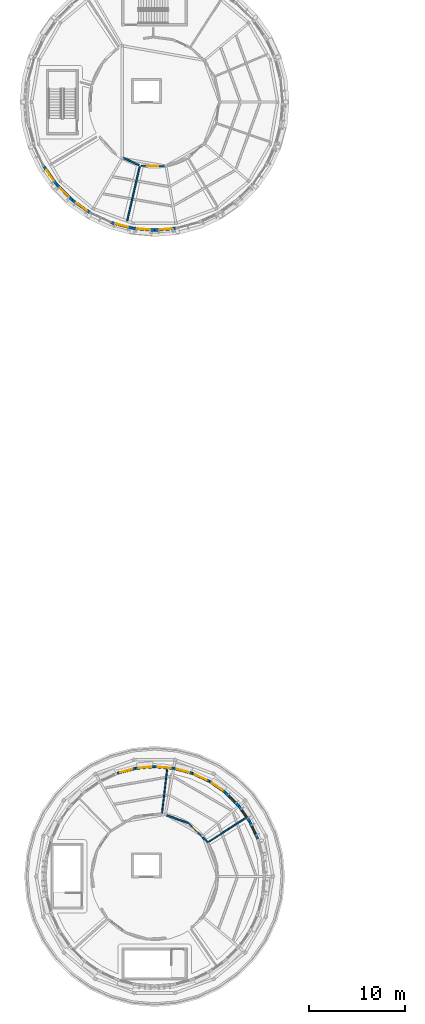
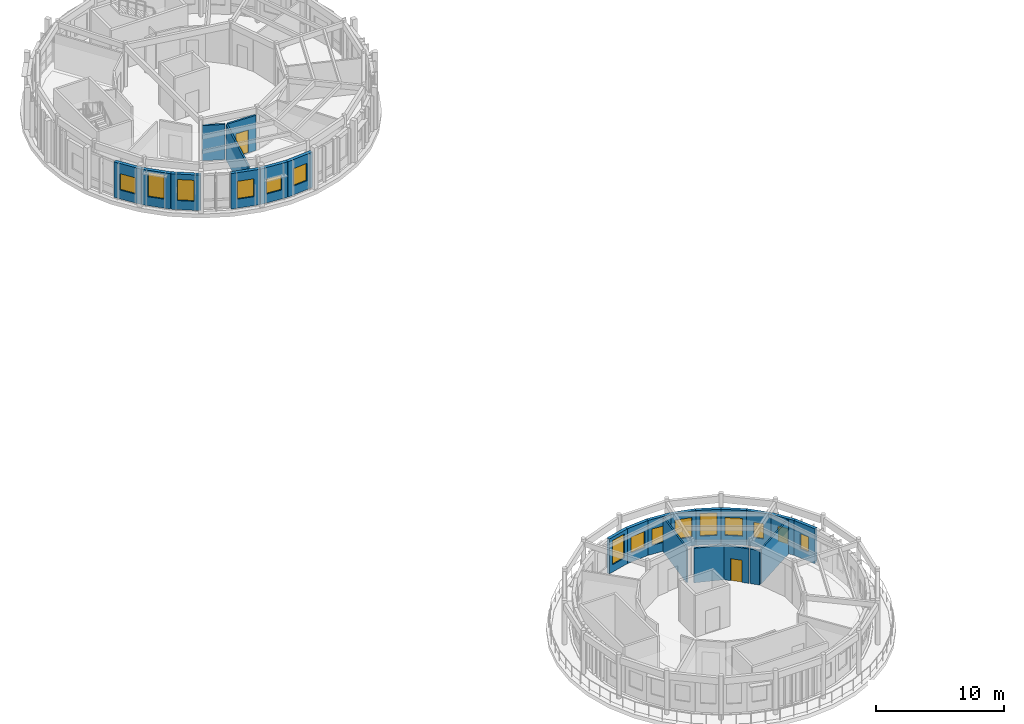
# One storey, part 18 of 30: 23 walls, 15 windows, 2 doors, 17 openings.
"""IFC4 building model written with IfcOpenShell, lengths in metres."""

from ifc_helpers import new_model, si_unit, direction, frame, frame_2d, origin, place, context, subcontext, project, spatial, rectangle, extrude, material, layer, layer_set, type_object, element, fill, save


model = new_model("IFC4")

# Units and contexts
model_context = context("Model", 3, precision=1e-05, world=origin(), true_north=direction((0.0, 1.0)))
body_context = subcontext(model_context, "Body", "Model", "MODEL_VIEW")
ifc_project = project(units=[si_unit("LENGTHUNIT", "METRE"), si_unit("AREAUNIT", "SQUARE_METRE"), si_unit("VOLUMEUNIT", "CUBIC_METRE"), si_unit("PLANEANGLEUNIT", "RADIAN"), si_unit("MASSUNIT", "GRAM", prefix="KILO")], contexts=[model_context])

# Site, building, storey
site_placement = place(None, origin())
site = spatial("IfcSite", under=ifc_project, at=site_placement, CompositionType="ELEMENT")
building_placement = place(site_placement, origin())
building = spatial("IfcBuilding", under=site, at=building_placement, Name="Aldenvaro Health Centre", CompositionType="ELEMENT")
storey_placement = place(building_placement, frame((0.0, 0.0, 17.14990234375)))
storey = spatial("IfcBuildingStorey", under=building, at=storey_placement, Name="L04", CompositionType="ELEMENT", Elevation=17.14990234375)

# Walls
ifc_material_1 = material(Name="Gypsum Stud Acoustic Assembly")
ifc_layer_1 = layer(ifc_material_1, 0.14501953125, Name="Gypsum Stud Acoustic Assembly")
ifc_layer_set_1 = layer_set([ifc_layer_1], Name="Gypsum Stud Acoustic Assembly")
wall_type_1 = type_object("IfcWallType", Name="WL-CLN-145", PredefinedType="PARTITIONING", material=ifc_layer_set_1)
wall_1_placement = place(storey_placement, frame((16.951904296875, 92.79296875, 0.0), z_axis=(0.0, 0.0, 1.0), x_axis=(-0.225041614944, -0.97434915279, 0.0)))
element("IfcWall", 1, at=wall_1_placement, inside=storey, type_object=wall_type_1, Name="D4 L04 clinical partition 4.1", PredefinedType="PARTITIONING", context=body_context, shape_type="SweptSolid", body=[
    extrude(rectangle(XDim=5.87451171875, YDim=0.14501953125, at=frame_2d((2.937255859375, 0.0))), origin(), (0.0, 0.0, 1.0), 3.343994140625),
])
ifc_layer_2 = layer(ifc_material_1, 0.1650390625, Name="Gypsum Stud Acoustic Assembly")
ifc_layer_set_2 = layer_set([ifc_layer_2], Name="Gypsum Stud Acoustic Assembly")
wall_type_2 = type_object("IfcWallType", Name="WL-COR-165", PredefinedType="PARTITIONING", material=ifc_layer_set_2)
wall_2_placement = place(storey_placement, frame((15.22802734375, 93.662109375, 0.0), z_axis=(0.0, 0.0, 1.0), x_axis=(0.906828861557, -0.421499010495, 0.0)))
element("IfcWall", 2, at=wall_2_placement, inside=storey, type_object=wall_type_2, Name="D4 L04 corridor wall 03.2", PredefinedType="PARTITIONING", context=body_context, shape_type="SweptSolid", body=[
    extrude(rectangle(XDim=1.81298828125, YDim=0.1650390625, at=frame_2d((0.906494140625, 0.0))), origin(), (0.0, 0.0, 1.0), 3.343994140625),
])

# Wall, opening, door
wall_3_placement = place(storey_placement, frame((17.069091796875, 92.85205078125, 0.0), z_axis=(0.0, 0.0, 1.0), x_axis=(0.999621757445, -0.027501673437, 0.0)))
wall_3 = element("IfcWall", 3, at=wall_3_placement, inside=storey, type_object=wall_type_2, Name="D4 L04 corridor wall 04.1", PredefinedType="PARTITIONING", context=body_context, shape_type="SweptSolid", body=[
    extrude(rectangle(XDim=2.476806640625, YDim=0.1650390625, at=frame_2d((1.23828125, 0.0))), origin(), (0.0, 0.0, 1.0), 3.343994140625),
])
opening_1_placement = place(wall_3_placement, frame((0.678955078125, 0.0, 0.0)))
opening_1 = element("IfcOpeningElement", 4, at=opening_1_placement, cuts=wall_3, Name="Opening D-06", PredefinedType="OPENING", context=body_context, shape_type="SweptSolid", body=[
    extrude(rectangle(XDim=1.1201171875, YDim=2.159912109375, at=frame_2d((0.56005859375, 1.080078125))), frame((0.0, 0.092529296875, 0.0), z_axis=(0.0, -1.0, 0.0), x_axis=(1.0, 0.0, 0.0)), (0.0, 0.0, 1.0), 0.18505859375),
])
ifc_material_2 = material(Name="Bariatric Consulting Timber Door", Category="wood")
door_type_1 = type_object("IfcDoorType", Name="DR-CLN-06", OperationType="NOTDEFINED", PredefinedType="DOOR", material=ifc_material_2)
door_1_placement = place(opening_1_placement, origin())
door_1 = element("IfcDoor", 5, at=door_1_placement, inside=storey, type_object=door_type_1, Name="Dermatology Minor Procedure Room Door", OperationType="SINGLE_SWING_RIGHT", OverallHeight=2.159912109375, OverallWidth=1.1201171875, PredefinedType="DOOR", context=body_context, shape_type="SweptSolid", body=[
    extrude(rectangle(XDim=1.1201171875, YDim=2.159912109375, at=frame_2d((0.56005859375, 1.080078125))), frame((0.0, 0.02490234375, 0.0), z_axis=(0.0, -1.0, 0.0), x_axis=(1.0, 0.0, 0.0)), (0.0, 0.0, 1.0), 0.050048828125),
])
fill(opening_1, door_1)

# Wall
wall_4_placement = place(storey_placement, frame((24.051025390625, 22.070068359375, 0.0), z_axis=(0.0, 0.0, 1.0), x_axis=(-0.711623901059, 0.702560619051, 0.0)))
element("IfcWall", 6, at=wall_4_placement, inside=storey, type_object=wall_type_2, Name="D5 L04 corridor wall 04.1", PredefinedType="PARTITIONING", context=body_context, shape_type="SweptSolid", body=[
    extrude(rectangle(XDim=0.78125, YDim=0.1650390625, at=frame_2d((0.390625, 0.0))), origin(), (0.0, 0.0, 1.0), 3.279052734375),
])

# Wall, opening, door
wall_5_placement = place(storey_placement, frame((23.43408203125, 22.679931640625, 0.0), z_axis=(0.0, 0.0, 1.0), x_axis=(-0.712049294093, 0.70212947722, 0.0)))
wall_5 = element("IfcWall", 7, at=wall_5_placement, inside=storey, type_object=wall_type_2, Name="D5 L04 corridor wall 04.2", PredefinedType="PARTITIONING", context=body_context, shape_type="SweptSolid", body=[
    extrude(rectangle(XDim=2.01806640625, YDim=0.1650390625, at=frame_2d((1.009033203125, 0.0))), origin(), (0.0, 0.0, 1.0), 3.279052734375),
])
opening_2_placement = place(wall_5_placement, frame((0.55908203125, 0.0, 0.0)))
opening_2 = element("IfcOpeningElement", 8, at=opening_2_placement, cuts=wall_5, Name="Opening WD-01", PredefinedType="OPENING", context=body_context, shape_type="SweptSolid", body=[
    extrude(rectangle(XDim=0.89990234375, YDim=2.10009765625, at=frame_2d((0.449951171875, 1.050048828125))), frame((0.0, 0.092529296875, 0.0), z_axis=(0.0, -1.0, 0.0), x_axis=(1.0, 0.0, 0.0)), (0.0, 0.0, 1.0), 0.18505859375),
])
ifc_material_3 = material(Name="Moisture-Resistant Laminate Door")
door_type_2 = type_object("IfcDoorType", Name="DR-WC-01", OperationType="NOTDEFINED", PredefinedType="DOOR", material=ifc_material_3)
door_2_placement = place(opening_2_placement, origin())
door_2 = element("IfcDoor", 9, at=door_2_placement, inside=storey, type_object=door_type_2, Name="Male Staff WC Door", OperationType="SINGLE_SWING_RIGHT", OverallHeight=2.10009765625, OverallWidth=0.89990234375, PredefinedType="DOOR", context=body_context, shape_type="SweptSolid", body=[
    extrude(rectangle(XDim=0.89990234375, YDim=2.10009765625, at=frame_2d((0.449951171875, 1.050048828125))), frame((0.0, 0.02490234375, 0.0), z_axis=(0.0, -1.0, 0.0), x_axis=(1.0, 0.0, 0.0)), (0.0, 0.0, 1.0), 0.050048828125),
])
fill(opening_2, door_2)

# Wall
wall_6_placement = place(storey_placement, frame((21.9970703125, 24.096923828125, 0.0), z_axis=(0.0, 0.0, 1.0), x_axis=(-0.943378428423, 0.331718466151, 0.0)))
element("IfcWall", 10, at=wall_6_placement, inside=storey, type_object=wall_type_2, Name="D5 L04 corridor wall 04.3", PredefinedType="PARTITIONING", context=body_context, shape_type="SweptSolid", body=[
    extrude(rectangle(XDim=2.400146484375, YDim=0.1650390625, at=frame_2d((1.2001953125, 0.0))), origin(), (0.0, 0.0, 1.0), 3.279052734375),
])

# Wall, opening, window
ifc_material_4 = material(Name="Cross-laminated timber CLT E1", Category="wood")
ifc_layer_3 = layer(ifc_material_4, 0.27001953125, Name="Cross-laminated timber CLT E1", Category="wood")
ifc_layer_set_3 = layer_set([ifc_layer_3], Name="Cross-laminated timber CLT E1")
wall_type_3 = type_object("IfcWallType", Name="WL-EXT-270", PredefinedType="ELEMENTEDWALL", material=ifc_layer_set_3)
wall_7_placement = place(storey_placement, frame((14.573974609375, 29.2880859375, 0.0), z_axis=(0.0, 0.0, 1.0), x_axis=(0.965944784715, 0.258748280927, 0.0)))
wall_7 = element("IfcWall", 11, at=wall_7_placement, inside=storey, type_object=wall_type_3, Name="D5 L04 exterior wall 25", PredefinedType="ELEMENTEDWALL", context=body_context, shape_type="SweptSolid", body=[
    extrude(rectangle(XDim=2.001220703125, YDim=0.27001953125, at=frame_2d((1.00048828125, 0.0))), origin(), (0.0, 0.0, 1.0), 3.314208984375),
])
opening_3_placement = place(wall_7_placement, frame((0.35107421875, 0.0, 0.699951171875)))
opening_3 = element("IfcOpeningElement", 12, at=opening_3_placement, cuts=wall_7, Name="Opening W-49", PredefinedType="OPENING", context=body_context, shape_type="SweptSolid", body=[
    extrude(rectangle(XDim=1.300048828125, YDim=2.300048828125, at=frame_2d((0.64990234375, 1.14990234375))), frame((0.0, 0.14501953125, 0.0), z_axis=(0.0, -1.0, 0.0), x_axis=(1.0, 0.0, 0.0)), (0.0, 0.0, 1.0), 0.2900390625),
])
ifc_material_5 = material(Name="Thermally Broken Aluminium Low-E Glass", Category="aluminium")
window_type_1 = type_object("IfcWindowType", Name="WN-EXT-49", PartitioningType="SINGLE_PANEL", PredefinedType="WINDOW", material=ifc_material_5)
window_1_placement = place(opening_3_placement, origin())
window_1 = element("IfcWindow", 13, at=window_1_placement, inside=storey, type_object=window_type_1, Name="D5 L04 clinical window 25", OverallHeight=2.300048828125, OverallWidth=1.300048828125, PartitioningType="SINGLE_PANEL", PredefinedType="WINDOW", context=body_context, shape_type="SweptSolid", body=[
    extrude(rectangle(XDim=1.300048828125, YDim=2.300048828125, at=frame_2d((0.64990234375, 1.14990234375))), frame((0.0, 0.030029296875, 0.0), z_axis=(0.0, -1.0, 0.0), x_axis=(1.0, 0.0, 0.0)), (0.0, 0.0, 1.0), 0.06005859375),
])
fill(opening_3, window_1)

wall_8_placement = place(storey_placement, frame((16.507080078125, 29.805908203125, 0.0), z_axis=(0.0, 0.0, 1.0), x_axis=(0.996207084861, 0.087014045266, 0.0)))
wall_8 = element("IfcWall", 14, at=wall_8_placement, inside=storey, type_object=wall_type_3, Name="D5 L04 exterior wall 26", PredefinedType="ELEMENTEDWALL", context=body_context, shape_type="SweptSolid", body=[
    extrude(rectangle(XDim=2.00048828125, YDim=0.27001953125, at=frame_2d((1.000244140625, 0.0))), origin(), (0.0, 0.0, 1.0), 3.314208984375),
])
opening_4_placement = place(wall_8_placement, frame((0.340087890625, 0.0, 0.85009765625)))
opening_4 = element("IfcOpeningElement", 15, at=opening_4_placement, cuts=wall_8, Name="Opening W-50", PredefinedType="OPENING", context=body_context, shape_type="SweptSolid", body=[
    extrude(rectangle(XDim=1.320068359375, YDim=1.550048828125, at=frame_2d((0.66015625, 0.77490234375))), frame((0.0, 0.14501953125, 0.0), z_axis=(0.0, -1.0, 0.0), x_axis=(1.0, 0.0, 0.0)), (0.0, 0.0, 1.0), 0.2900390625),
])
window_type_2 = type_object("IfcWindowType", Name="WN-EXT-50", PartitioningType="SINGLE_PANEL", PredefinedType="WINDOW", material=ifc_material_5)
window_2_placement = place(opening_4_placement, origin())
window_2 = element("IfcWindow", 16, at=window_2_placement, inside=storey, type_object=window_type_2, Name="D5 L04 clinical window 26", OverallHeight=1.550048828125, OverallWidth=1.320068359375, PartitioningType="SINGLE_PANEL", PredefinedType="WINDOW", context=body_context, shape_type="SweptSolid", body=[
    extrude(rectangle(XDim=1.320068359375, YDim=1.550048828125, at=frame_2d((0.66015625, 0.77490234375))), frame((0.0, 0.030029296875, 0.0), z_axis=(0.0, -1.0, 0.0), x_axis=(1.0, 0.0, 0.0)), (0.0, 0.0, 1.0), 0.06005859375),
])
fill(opening_4, window_2)

wall_9_placement = place(storey_placement, frame((18.5, 29.97998046875, 0.0), z_axis=(0.0, 0.0, 1.0), x_axis=(0.996207084861, -0.087014045266, 0.0)))
wall_9 = element("IfcWall", 17, at=wall_9_placement, inside=storey, type_object=wall_type_3, Name="D5 L04 exterior wall 27", PredefinedType="ELEMENTEDWALL", context=body_context, shape_type="SweptSolid", body=[
    extrude(rectangle(XDim=2.00048828125, YDim=0.27001953125, at=frame_2d((1.000244140625, 0.0))), origin(), (0.0, 0.0, 1.0), 3.314208984375),
])
opening_5_placement = place(wall_9_placement, frame((0.324951171875, 0.0, 0.85009765625)))
opening_5 = element("IfcOpeningElement", 18, at=opening_5_placement, cuts=wall_9, Name="Opening W-51", PredefinedType="OPENING", context=body_context, shape_type="SweptSolid", body=[
    extrude(rectangle(XDim=1.35009765625, YDim=1.550048828125, at=frame_2d((0.675048828125, 0.77490234375))), frame((0.0, 0.14501953125, 0.0), z_axis=(0.0, -1.0, 0.0), x_axis=(1.0, 0.0, 0.0)), (0.0, 0.0, 1.0), 0.2900390625),
])
window_type_3 = type_object("IfcWindowType", Name="WN-EXT-51", PartitioningType="SINGLE_PANEL", PredefinedType="WINDOW", material=ifc_material_5)
window_3_placement = place(opening_5_placement, origin())
window_3 = element("IfcWindow", 19, at=window_3_placement, inside=storey, type_object=window_type_3, Name="D5 L04 clinical window 27", OverallHeight=1.550048828125, OverallWidth=1.35009765625, PartitioningType="SINGLE_PANEL", PredefinedType="WINDOW", context=body_context, shape_type="SweptSolid", body=[
    extrude(rectangle(XDim=1.35009765625, YDim=1.550048828125, at=frame_2d((0.675048828125, 0.77490234375))), frame((0.0, 0.030029296875, 0.0), z_axis=(0.0, -1.0, 0.0), x_axis=(1.0, 0.0, 0.0)), (0.0, 0.0, 1.0), 0.06005859375),
])
fill(opening_5, window_3)

wall_10_placement = place(storey_placement, frame((20.492919921875, 29.805908203125, 0.0), z_axis=(0.0, 0.0, 1.0), x_axis=(0.965944784715, -0.258748280927, 0.0)))
wall_10 = element("IfcWall", 20, at=wall_10_placement, inside=storey, type_object=wall_type_3, Name="D5 L04 exterior wall 28", PredefinedType="ELEMENTEDWALL", context=body_context, shape_type="SweptSolid", body=[
    extrude(rectangle(XDim=2.001220703125, YDim=0.27001953125, at=frame_2d((1.00048828125, 0.0))), origin(), (0.0, 0.0, 1.0), 3.314208984375),
])
opening_6_placement = place(wall_10_placement, frame((0.325927734375, 0.0, 0.85009765625)))
opening_6 = element("IfcOpeningElement", 21, at=opening_6_placement, cuts=wall_10, Name="Opening W-52", PredefinedType="OPENING", context=body_context, shape_type="SweptSolid", body=[
    extrude(rectangle(XDim=1.35009765625, YDim=1.85009765625, at=frame_2d((0.675048828125, 0.925048828125))), frame((0.0, 0.14501953125, 0.0), z_axis=(0.0, -1.0, 0.0), x_axis=(1.0, 0.0, 0.0)), (0.0, 0.0, 1.0), 0.2900390625),
])
window_type_4 = type_object("IfcWindowType", Name="WN-EXT-52", PartitioningType="SINGLE_PANEL", PredefinedType="WINDOW", material=ifc_material_5)
window_4_placement = place(opening_6_placement, origin())
window_4 = element("IfcWindow", 22, at=window_4_placement, inside=storey, type_object=window_type_4, Name="D5 L04 clinical window 28", OverallHeight=1.85009765625, OverallWidth=1.35009765625, PartitioningType="SINGLE_PANEL", PredefinedType="WINDOW", context=body_context, shape_type="SweptSolid", body=[
    extrude(rectangle(XDim=1.35009765625, YDim=1.85009765625, at=frame_2d((0.675048828125, 0.925048828125))), frame((0.0, 0.030029296875, 0.0), z_axis=(0.0, -1.0, 0.0), x_axis=(1.0, 0.0, 0.0)), (0.0, 0.0, 1.0), 0.06005859375),
])
fill(opening_6, window_4)

wall_11_placement = place(storey_placement, frame((22.426025390625, 29.2880859375, 0.0), z_axis=(0.0, 0.0, 1.0), x_axis=(0.906245451167, -0.422751915713, 0.0)))
wall_11 = element("IfcWall", 23, at=wall_11_placement, inside=storey, type_object=wall_type_3, Name="D5 L04 exterior wall 29", PredefinedType="ELEMENTEDWALL", context=body_context, shape_type="SweptSolid", body=[
    extrude(rectangle(XDim=2.001708984375, YDim=0.27001953125, at=frame_2d((1.0009765625, 0.0))), origin(), (0.0, 0.0, 1.0), 3.314208984375),
])
opening_7_placement = place(wall_11_placement, frame((0.325927734375, 0.0, 0.85009765625)))
opening_7 = element("IfcOpeningElement", 24, at=opening_7_placement, cuts=wall_11, Name="Opening W-53", PredefinedType="OPENING", context=body_context, shape_type="SweptSolid", body=[
    extrude(rectangle(XDim=1.35009765625, YDim=2.14990234375, at=frame_2d((0.675048828125, 1.074951171875))), frame((0.0, 0.14501953125, 0.0), z_axis=(0.0, -1.0, 0.0), x_axis=(1.0, 0.0, 0.0)), (0.0, 0.0, 1.0), 0.2900390625),
])
window_type_5 = type_object("IfcWindowType", Name="WN-EXT-53", PartitioningType="SINGLE_PANEL", PredefinedType="WINDOW", material=ifc_material_5)
window_5_placement = place(opening_7_placement, origin())
window_5 = element("IfcWindow", 25, at=window_5_placement, inside=storey, type_object=window_type_5, Name="D5 L04 clinical window 29", OverallHeight=2.14990234375, OverallWidth=1.35009765625, PartitioningType="SINGLE_PANEL", PredefinedType="WINDOW", context=body_context, shape_type="SweptSolid", body=[
    extrude(rectangle(XDim=1.35009765625, YDim=2.14990234375, at=frame_2d((0.675048828125, 1.074951171875))), frame((0.0, 0.030029296875, 0.0), z_axis=(0.0, -1.0, 0.0), x_axis=(1.0, 0.0, 0.0)), (0.0, 0.0, 1.0), 0.06005859375),
])
fill(opening_7, window_5)

wall_12_placement = place(storey_placement, frame((24.239990234375, 28.44189453125, 0.0), z_axis=(0.0, 0.0, 1.0), x_axis=(0.819065655169, -0.573699793029, 0.0)))
wall_12 = element("IfcWall", 26, at=wall_12_placement, inside=storey, type_object=wall_type_3, Name="D5 L04 exterior wall 30", PredefinedType="ELEMENTEDWALL", context=body_context, shape_type="SweptSolid", body=[
    extrude(rectangle(XDim=2.0009765625, YDim=0.27001953125, at=frame_2d((1.00048828125, 0.0))), origin(), (0.0, 0.0, 1.0), 3.314208984375),
])
opening_8_placement = place(wall_12_placement, frame((0.31103515625, 0.0, 0.85009765625)))
opening_8 = element("IfcOpeningElement", 27, at=opening_8_placement, cuts=wall_12, Name="Opening W-54", PredefinedType="OPENING", context=body_context, shape_type="SweptSolid", body=[
    extrude(rectangle(XDim=1.3798828125, YDim=1.699951171875, at=frame_2d((0.68994140625, 0.85009765625))), frame((0.0, 0.14501953125, 0.0), z_axis=(0.0, -1.0, 0.0), x_axis=(1.0, 0.0, 0.0)), (0.0, 0.0, 1.0), 0.2900390625),
])
window_type_6 = type_object("IfcWindowType", Name="WN-EXT-54", PartitioningType="SINGLE_PANEL", PredefinedType="WINDOW", material=ifc_material_5)
window_6_placement = place(opening_8_placement, origin())
window_6 = element("IfcWindow", 28, at=window_6_placement, inside=storey, type_object=window_type_6, Name="D5 L04 clinical window 30", OverallHeight=1.699951171875, OverallWidth=1.3798828125, PartitioningType="SINGLE_PANEL", PredefinedType="WINDOW", context=body_context, shape_type="SweptSolid", body=[
    extrude(rectangle(XDim=1.3798828125, YDim=1.699951171875, at=frame_2d((0.68994140625, 0.85009765625))), frame((0.0, 0.030029296875, 0.0), z_axis=(0.0, -1.0, 0.0), x_axis=(1.0, 0.0, 0.0)), (0.0, 0.0, 1.0), 0.06005859375),
])
fill(opening_8, window_6)

wall_13_placement = place(storey_placement, frame((25.87890625, 27.2939453125, 0.0), z_axis=(0.0, 0.0, 1.0), x_axis=(0.707106781187, -0.707106781187, 0.0)))
wall_13 = element("IfcWall", 29, at=wall_13_placement, inside=storey, type_object=wall_type_3, Name="D5 L04 exterior wall 31", PredefinedType="ELEMENTEDWALL", context=body_context, shape_type="SweptSolid", body=[
    extrude(rectangle(XDim=2.001220703125, YDim=0.27001953125, at=frame_2d((1.00048828125, 0.0))), origin(), (0.0, 0.0, 1.0), 3.314208984375),
])
opening_9_placement = place(wall_13_placement, frame((0.591064453125, 0.0, 0.85009765625)))
opening_9 = element("IfcOpeningElement", 30, at=opening_9_placement, cuts=wall_13, Name="Opening W-01", PredefinedType="OPENING", context=body_context, shape_type="SweptSolid", body=[
    extrude(rectangle(XDim=0.820068359375, YDim=1.449951171875, at=frame_2d((0.41015625, 0.72509765625))), frame((0.0, 0.14501953125, 0.0), z_axis=(0.0, -1.0, 0.0), x_axis=(1.0, 0.0, 0.0)), (0.0, 0.0, 1.0), 0.2900390625),
])
window_type_7 = type_object("IfcWindowType", Name="WN-EXT-01", PartitioningType="SINGLE_PANEL", PredefinedType="WINDOW", material=ifc_material_5)
window_7_placement = place(opening_9_placement, origin())
window_7 = element("IfcWindow", 31, at=window_7_placement, inside=storey, type_object=window_type_7, Name="D5 L04 clinical window 31", OverallHeight=1.449951171875, OverallWidth=0.820068359375, PartitioningType="SINGLE_PANEL", PredefinedType="WINDOW", context=body_context, shape_type="SweptSolid", body=[
    extrude(rectangle(XDim=0.820068359375, YDim=1.449951171875, at=frame_2d((0.41015625, 0.72509765625))), frame((0.0, 0.030029296875, 0.0), z_axis=(0.0, -1.0, 0.0), x_axis=(1.0, 0.0, 0.0)), (0.0, 0.0, 1.0), 0.06005859375),
])
fill(opening_9, window_7)

wall_14_placement = place(storey_placement, frame((27.2939453125, 25.87890625, 0.0), z_axis=(0.0, 0.0, 1.0), x_axis=(0.573699793029, -0.819065655169, 0.0)))
wall_14 = element("IfcWall", 32, at=wall_14_placement, inside=storey, type_object=wall_type_3, Name="D5 L04 exterior wall 32", PredefinedType="ELEMENTEDWALL", context=body_context, shape_type="SweptSolid", body=[
    extrude(rectangle(XDim=2.0009765625, YDim=0.27001953125, at=frame_2d((1.00048828125, 0.0))), origin(), (0.0, 0.0, 1.0), 3.314208984375),
])
opening_10_placement = place(wall_14_placement, frame((0.591064453125, 0.0, 0.85009765625)))
opening_10 = element("IfcOpeningElement", 33, at=opening_10_placement, cuts=wall_14, Name="Opening W-01", PredefinedType="OPENING", context=body_context, shape_type="SweptSolid", body=[
    extrude(rectangle(XDim=0.820068359375, YDim=1.449951171875, at=frame_2d((0.41015625, 0.72509765625))), frame((0.0, 0.14501953125, 0.0), z_axis=(0.0, -1.0, 0.0), x_axis=(1.0, 0.0, 0.0)), (0.0, 0.0, 1.0), 0.2900390625),
])
window_8_placement = place(opening_10_placement, origin())
window_8 = element("IfcWindow", 34, at=window_8_placement, inside=storey, type_object=window_type_7, Name="D5 L04 clinical window 32", OverallHeight=1.449951171875, OverallWidth=0.820068359375, PartitioningType="SINGLE_PANEL", PredefinedType="WINDOW", context=body_context, shape_type="SweptSolid", body=[
    extrude(rectangle(XDim=0.820068359375, YDim=1.449951171875, at=frame_2d((0.41015625, 0.72509765625))), frame((0.0, 0.030029296875, 0.0), z_axis=(0.0, -1.0, 0.0), x_axis=(1.0, 0.0, 0.0)), (0.0, 0.0, 1.0), 0.06005859375),
])
fill(opening_10, window_8)

wall_15_placement = place(storey_placement, frame((28.44189453125, 24.239990234375, 0.0), z_axis=(0.0, 0.0, 1.0), x_axis=(0.422751915713, -0.906245451167, 0.0)))
wall_15 = element("IfcWall", 35, at=wall_15_placement, inside=storey, type_object=wall_type_3, Name="D5 L04 exterior wall 33", PredefinedType="ELEMENTEDWALL", context=body_context, shape_type="SweptSolid", body=[
    extrude(rectangle(XDim=2.001708984375, YDim=0.27001953125, at=frame_2d((1.0009765625, 0.0))), origin(), (0.0, 0.0, 1.0), 3.314208984375),
])
opening_11_placement = place(wall_15_placement, frame((0.591064453125, 0.0, 0.85009765625)))
opening_11 = element("IfcOpeningElement", 36, at=opening_11_placement, cuts=wall_15, Name="Opening W-01", PredefinedType="OPENING", context=body_context, shape_type="SweptSolid", body=[
    extrude(rectangle(XDim=0.820068359375, YDim=1.449951171875, at=frame_2d((0.41015625, 0.72509765625))), frame((0.0, 0.14501953125, 0.0), z_axis=(0.0, -1.0, 0.0), x_axis=(1.0, 0.0, 0.0)), (0.0, 0.0, 1.0), 0.2900390625),
])
window_9_placement = place(opening_11_placement, origin())
window_9 = element("IfcWindow", 37, at=window_9_placement, inside=storey, type_object=window_type_7, Name="D5 L04 clinical window 33", OverallHeight=1.449951171875, OverallWidth=0.820068359375, PartitioningType="SINGLE_PANEL", PredefinedType="WINDOW", context=body_context, shape_type="SweptSolid", body=[
    extrude(rectangle(XDim=0.820068359375, YDim=1.449951171875, at=frame_2d((0.41015625, 0.72509765625))), frame((0.0, 0.030029296875, 0.0), z_axis=(0.0, -1.0, 0.0), x_axis=(1.0, 0.0, 0.0)), (0.0, 0.0, 1.0), 0.06005859375),
])
fill(opening_11, window_9)

ifc_layer_4 = layer(ifc_material_4, 0.2900390625, Name="Cross-laminated timber CLT E1", Category="wood")
ifc_layer_set_4 = layer_set([ifc_layer_4], Name="Cross-laminated timber CLT E1")
wall_type_4 = type_object("IfcWallType", Name="WL-EXT-290", PredefinedType="ELEMENTEDWALL", material=ifc_layer_set_4)
wall_16_placement = place(storey_placement, frame((20.826904296875, 86.303955078125, 0.0), z_axis=(0.0, 0.0, 1.0), x_axis=(-0.996184295282, -0.087274565792, 0.0)))
wall_16 = element("IfcWall", 38, at=wall_16_placement, inside=storey, type_object=wall_type_4, Name="D4 L04 exterior wall 09", PredefinedType="ELEMENTEDWALL", context=body_context, shape_type="SweptSolid", body=[
    extrude(rectangle(XDim=2.3359375, YDim=0.2900390625, at=frame_2d((1.16796875, 0.0))), origin(), (0.0, 0.0, 1.0), 3.369140625),
])
opening_12_placement = place(wall_16_placement, frame((0.528076171875, 0.0, 0.85009765625)))
opening_12 = element("IfcOpeningElement", 39, at=opening_12_placement, cuts=wall_16, Name="Opening W-45", PredefinedType="OPENING", context=body_context, shape_type="SweptSolid", body=[
    extrude(rectangle(XDim=1.280029296875, YDim=1.64990234375, at=frame_2d((0.64013671875, 0.824951171875))), frame((0.0, 0.155029296875, 0.0), z_axis=(0.0, -1.0, 0.0), x_axis=(1.0, 0.0, 0.0)), (0.0, 0.0, 1.0), 0.31005859375),
])
window_type_8 = type_object("IfcWindowType", Name="WN-EXT-45", PartitioningType="SINGLE_PANEL", PredefinedType="WINDOW", material=ifc_material_5)
window_10_placement = place(opening_12_placement, origin())
window_10 = element("IfcWindow", 40, at=window_10_placement, inside=storey, type_object=window_type_8, Name="D4 L04 clinical window 09", OverallHeight=1.64990234375, OverallWidth=1.280029296875, PartitioningType="SINGLE_PANEL", PredefinedType="WINDOW", context=body_context, shape_type="SweptSolid", body=[
    extrude(rectangle(XDim=1.280029296875, YDim=1.64990234375, at=frame_2d((0.64013671875, 0.824951171875))), frame((0.0, 0.030029296875, 0.0), z_axis=(0.0, -1.0, 0.0), x_axis=(1.0, 0.0, 0.0)), (0.0, 0.0, 1.0), 0.06005859375),
])
fill(opening_12, window_10)

wall_17_placement = place(storey_placement, frame((18.5, 86.10009765625, 0.0), z_axis=(0.0, 0.0, 1.0), x_axis=(-0.996184295282, 0.087274565792, 0.0)))
wall_17 = element("IfcWall", 41, at=wall_17_placement, inside=storey, type_object=wall_type_4, Name="D4 L04 exterior wall 10", PredefinedType="ELEMENTEDWALL", context=body_context, shape_type="SweptSolid", body=[
    extrude(rectangle(XDim=2.3359375, YDim=0.2900390625, at=frame_2d((1.16796875, 0.0))), origin(), (0.0, 0.0, 1.0), 3.369140625),
])
opening_13_placement = place(wall_17_placement, frame((0.51806640625, 0.0, 0.85009765625)))
opening_13 = element("IfcOpeningElement", 42, at=opening_13_placement, cuts=wall_17, Name="Opening W-46", PredefinedType="OPENING", context=body_context, shape_type="SweptSolid", body=[
    extrude(rectangle(XDim=1.300048828125, YDim=1.39990234375, at=frame_2d((0.64990234375, 0.699951171875))), frame((0.0, 0.155029296875, 0.0), z_axis=(0.0, -1.0, 0.0), x_axis=(1.0, 0.0, 0.0)), (0.0, 0.0, 1.0), 0.31005859375),
])
window_type_9 = type_object("IfcWindowType", Name="WN-EXT-46", PartitioningType="SINGLE_PANEL", PredefinedType="WINDOW", material=ifc_material_5)
window_11_placement = place(opening_13_placement, origin())
window_11 = element("IfcWindow", 43, at=window_11_placement, inside=storey, type_object=window_type_9, Name="D4 L04 clinical window 10", OverallHeight=1.39990234375, OverallWidth=1.300048828125, PartitioningType="SINGLE_PANEL", PredefinedType="WINDOW", context=body_context, shape_type="SweptSolid", body=[
    extrude(rectangle(XDim=1.300048828125, YDim=1.39990234375, at=frame_2d((0.64990234375, 0.699951171875))), frame((0.0, 0.030029296875, 0.0), z_axis=(0.0, -1.0, 0.0), x_axis=(1.0, 0.0, 0.0)), (0.0, 0.0, 1.0), 0.06005859375),
])
fill(opening_13, window_11)

wall_18_placement = place(storey_placement, frame((16.173095703125, 86.303955078125, 0.0), z_axis=(0.0, 0.0, 1.0), x_axis=(-0.965981166673, 0.258612423585, 0.0)))
wall_18 = element("IfcWall", 44, at=wall_18_placement, inside=storey, type_object=wall_type_4, Name="D4 L04 exterior wall 11", PredefinedType="ELEMENTEDWALL", context=body_context, shape_type="SweptSolid", body=[
    extrude(rectangle(XDim=2.33544921875, YDim=0.2900390625, at=frame_2d((1.167724609375, 0.0))), origin(), (0.0, 0.0, 1.0), 3.369140625),
])
opening_14_placement = place(wall_18_placement, frame((0.51806640625, 0.0, 0.85009765625)))
opening_14 = element("IfcOpeningElement", 45, at=opening_14_placement, cuts=wall_18, Name="Opening W-47", PredefinedType="OPENING", context=body_context, shape_type="SweptSolid", body=[
    extrude(rectangle(XDim=1.300048828125, YDim=1.699951171875, at=frame_2d((0.64990234375, 0.85009765625))), frame((0.0, 0.155029296875, 0.0), z_axis=(0.0, -1.0, 0.0), x_axis=(1.0, 0.0, 0.0)), (0.0, 0.0, 1.0), 0.31005859375),
])
window_type_10 = type_object("IfcWindowType", Name="WN-EXT-47", PartitioningType="SINGLE_PANEL", PredefinedType="WINDOW", material=ifc_material_5)
window_12_placement = place(opening_14_placement, origin())
window_12 = element("IfcWindow", 46, at=window_12_placement, inside=storey, type_object=window_type_10, Name="D4 L04 clinical window 11", OverallHeight=1.699951171875, OverallWidth=1.300048828125, PartitioningType="SINGLE_PANEL", PredefinedType="WINDOW", context=body_context, shape_type="SweptSolid", body=[
    extrude(rectangle(XDim=1.300048828125, YDim=1.699951171875, at=frame_2d((0.64990234375, 0.85009765625))), frame((0.0, 0.030029296875, 0.0), z_axis=(0.0, -1.0, 0.0), x_axis=(1.0, 0.0, 0.0)), (0.0, 0.0, 1.0), 0.06005859375),
])
fill(opening_14, window_12)

wall_19_placement = place(storey_placement, frame((11.800048828125, 87.89501953125, 0.0), z_axis=(0.0, 0.0, 1.0), x_axis=(-0.819045278347, 0.573728883722, 0.0)))
wall_19 = element("IfcWall", 47, at=wall_19_placement, inside=storey, type_object=wall_type_4, Name="D4 L04 exterior wall 13", PredefinedType="ELEMENTEDWALL", context=body_context, shape_type="SweptSolid", body=[
    extrude(rectangle(XDim=2.335693359375, YDim=0.2900390625, at=frame_2d((1.16796875, 0.0))), origin(), (0.0, 0.0, 1.0), 3.369140625),
])
opening_15_placement = place(wall_19_placement, frame((0.51806640625, 0.0, 0.85009765625)))
opening_15 = element("IfcOpeningElement", 48, at=opening_15_placement, cuts=wall_19, Name="Opening W-48", PredefinedType="OPENING", context=body_context, shape_type="SweptSolid", body=[
    extrude(rectangle(XDim=1.300048828125, YDim=2.0, at=frame_2d((0.64990234375, 1.0))), frame((0.0, 0.155029296875, 0.0), z_axis=(0.0, -1.0, 0.0), x_axis=(1.0, 0.0, 0.0)), (0.0, 0.0, 1.0), 0.31005859375),
])
window_type_11 = type_object("IfcWindowType", Name="WN-EXT-48", PartitioningType="SINGLE_PANEL", PredefinedType="WINDOW", material=ifc_material_5)
window_13_placement = place(opening_15_placement, origin())
window_13 = element("IfcWindow", 49, at=window_13_placement, inside=storey, type_object=window_type_11, Name="D4 L04 clinical window 13", OverallHeight=2.0, OverallWidth=1.300048828125, PartitioningType="SINGLE_PANEL", PredefinedType="WINDOW", context=body_context, shape_type="SweptSolid", body=[
    extrude(rectangle(XDim=1.300048828125, YDim=2.0, at=frame_2d((0.64990234375, 1.0))), frame((0.0, 0.030029296875, 0.0), z_axis=(0.0, -1.0, 0.0), x_axis=(1.0, 0.0, 0.0)), (0.0, 0.0, 1.0), 0.06005859375),
])
fill(opening_15, window_13)

wall_20_placement = place(storey_placement, frame((9.886962890625, 89.235107421875, 0.0), z_axis=(0.0, 0.0, 1.0), x_axis=(-0.707106781187, 0.707106781187, 0.0)))
wall_20 = element("IfcWall", 50, at=wall_20_placement, inside=storey, type_object=wall_type_4, Name="D4 L04 exterior wall 14", PredefinedType="ELEMENTEDWALL", context=body_context, shape_type="SweptSolid", body=[
    extrude(rectangle(XDim=2.336181640625, YDim=0.2900390625, at=frame_2d((1.16796875, 0.0))), origin(), (0.0, 0.0, 1.0), 3.369140625),
])
opening_16_placement = place(wall_20_placement, frame((0.51806640625, 0.0, 0.85009765625)))
opening_16 = element("IfcOpeningElement", 51, at=opening_16_placement, cuts=wall_20, Name="Opening W-49", PredefinedType="OPENING", context=body_context, shape_type="SweptSolid", body=[
    extrude(rectangle(XDim=1.300048828125, YDim=2.300048828125, at=frame_2d((0.64990234375, 1.14990234375))), frame((0.0, 0.155029296875, 0.0), z_axis=(0.0, -1.0, 0.0), x_axis=(1.0, 0.0, 0.0)), (0.0, 0.0, 1.0), 0.31005859375),
])
window_14_placement = place(opening_16_placement, origin())
window_14 = element("IfcWindow", 52, at=window_14_placement, inside=storey, type_object=window_type_1, Name="D4 L04 clinical window 14", OverallHeight=2.300048828125, OverallWidth=1.300048828125, PartitioningType="SINGLE_PANEL", PredefinedType="WINDOW", context=body_context, shape_type="SweptSolid", body=[
    extrude(rectangle(XDim=1.300048828125, YDim=2.300048828125, at=frame_2d((0.64990234375, 1.14990234375))), frame((0.0, 0.030029296875, 0.0), z_axis=(0.0, -1.0, 0.0), x_axis=(1.0, 0.0, 0.0)), (0.0, 0.0, 1.0), 0.06005859375),
])
fill(opening_16, window_14)

wall_21_placement = place(storey_placement, frame((8.235107421875, 90.886962890625, 0.0), z_axis=(0.0, 0.0, 1.0), x_axis=(-0.573728883722, 0.819045278347, 0.0)))
wall_21 = element("IfcWall", 53, at=wall_21_placement, inside=storey, type_object=wall_type_4, Name="D4 L04 exterior wall 15", PredefinedType="ELEMENTEDWALL", context=body_context, shape_type="SweptSolid", body=[
    extrude(rectangle(XDim=2.335693359375, YDim=0.2900390625, at=frame_2d((1.16796875, 0.0))), origin(), (0.0, 0.0, 1.0), 3.369140625),
])
opening_17_placement = place(wall_21_placement, frame((0.508056640625, 0.0, 0.85009765625)))
opening_17 = element("IfcOpeningElement", 54, at=opening_17_placement, cuts=wall_21, Name="Opening W-50", PredefinedType="OPENING", context=body_context, shape_type="SweptSolid", body=[
    extrude(rectangle(XDim=1.320068359375, YDim=1.550048828125, at=frame_2d((0.66015625, 0.77490234375))), frame((0.0, 0.155029296875, 0.0), z_axis=(0.0, -1.0, 0.0), x_axis=(1.0, 0.0, 0.0)), (0.0, 0.0, 1.0), 0.31005859375),
])
window_15_placement = place(opening_17_placement, origin())
window_15 = element("IfcWindow", 55, at=window_15_placement, inside=storey, type_object=window_type_2, Name="D4 L04 clinical window 15", OverallHeight=1.550048828125, OverallWidth=1.320068359375, PartitioningType="SINGLE_PANEL", PredefinedType="WINDOW", context=body_context, shape_type="SweptSolid", body=[
    extrude(rectangle(XDim=1.320068359375, YDim=1.550048828125, at=frame_2d((0.66015625, 0.77490234375))), frame((0.0, 0.030029296875, 0.0), z_axis=(0.0, -1.0, 0.0), x_axis=(1.0, 0.0, 0.0)), (0.0, 0.0, 1.0), 0.06005859375),
])
fill(opening_17, window_15)

# Walls
ifc_material_6 = material(Name="Moisture-Resistant Plumbing Stud Wall")
ifc_layer_5 = layer(ifc_material_6, 0.135009765625, Name="Moisture-Resistant Plumbing Stud Wall")
ifc_layer_set_5 = layer_set([ifc_layer_5], Name="Moisture-Resistant Plumbing Stud Wall")
wall_type_5 = type_object("IfcWallType", Name="WL-WET-135", PredefinedType="PLUMBINGWALL", material=ifc_layer_set_5)
wall_22_placement = place(storey_placement, frame((24.1259765625, 22.10693359375, 0.0), z_axis=(0.0, 0.0, 1.0), x_axis=(0.841804640469, 0.53978231472, 0.0)))
element("IfcWall", 56, at=wall_22_placement, inside=storey, type_object=wall_type_5, Name="D5 L04 clinical partition 4.1", PredefinedType="PLUMBINGWALL", context=body_context, shape_type="SweptSolid", body=[
    extrude(rectangle(XDim=4.581787109375, YDim=0.135009765625, at=frame_2d((2.291015625, 0.0))), origin(), (0.0, 0.0, 1.0), 3.279052734375),
])
wall_23_placement = place(storey_placement, frame((19.27587890625, 25.137939453125, 0.0), z_axis=(0.0, 0.0, 1.0), x_axis=(0.116014889471, 0.99324747441, 0.0)))
element("IfcWall", 57, at=wall_23_placement, inside=storey, type_object=wall_type_5, Name="D5 L04 clinical partition 5.1", PredefinedType="PLUMBINGWALL", context=body_context, shape_type="SweptSolid", body=[
    extrude(rectangle(XDim=4.5771484375, YDim=0.135009765625, at=frame_2d((2.28857421875, 0.0))), origin(), (0.0, 0.0, 1.0), 3.279052734375),
])

save(model, "model.ifc")
